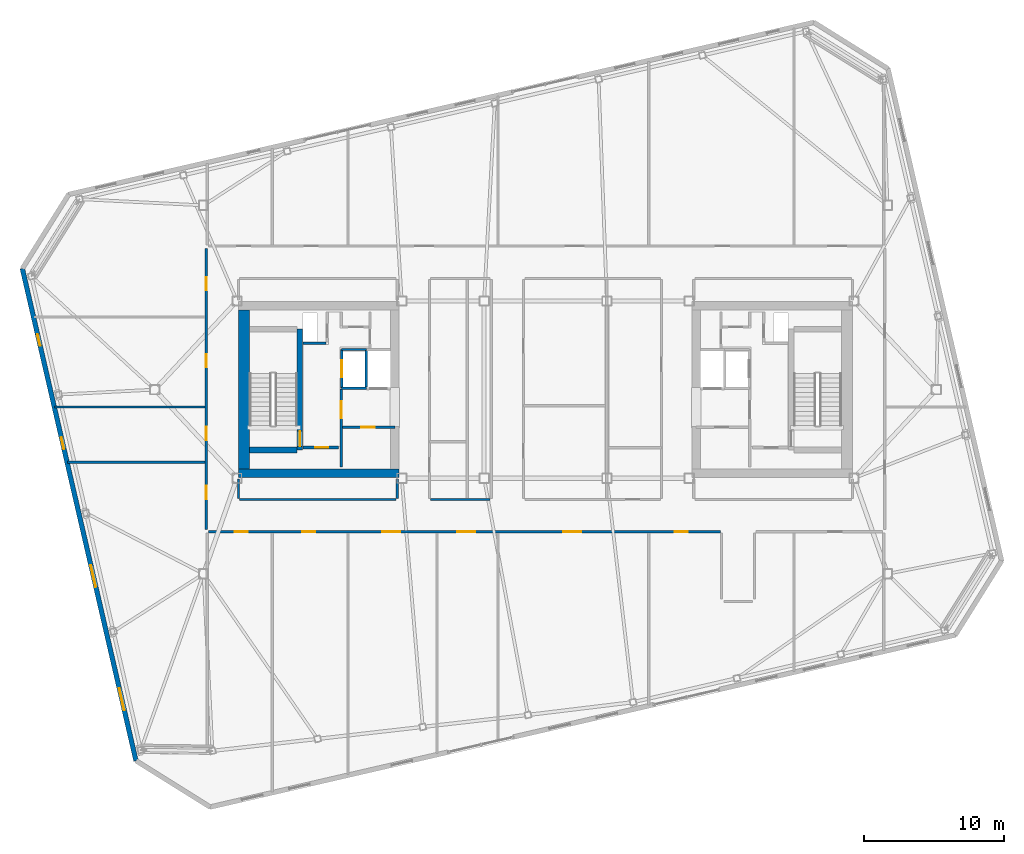
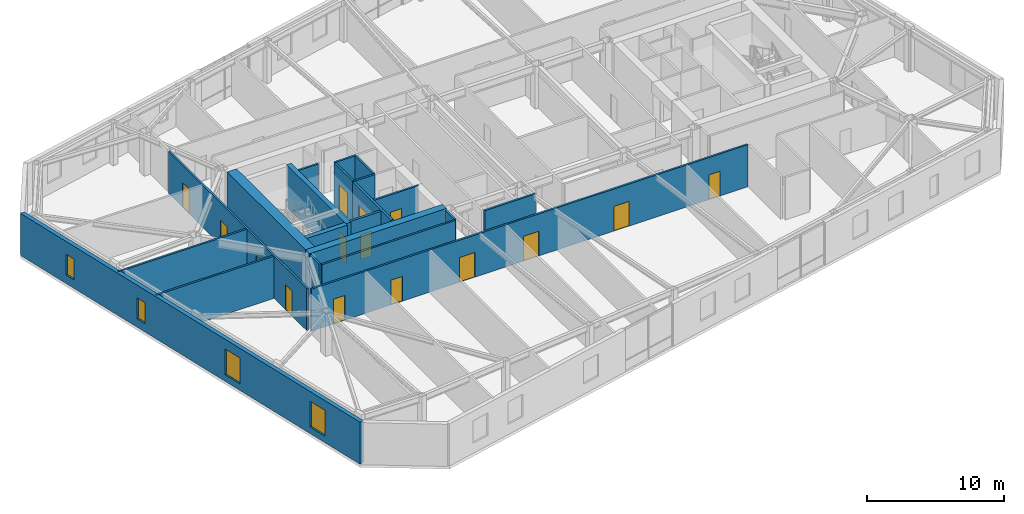
# One storey, part 16 of 23: 21 walls, 15 doors, 4 windows, 19 openings.
"""IFC4 building model written with IfcOpenShell, lengths in metres."""

from ifc_helpers import new_model, si_unit, direction, frame, frame_2d, origin, place, context, subcontext, project, spatial, rectangle, extrude, material, layer, layer_set, type_object, element, fill, save


model = new_model("IFC4")

# Units and contexts
model_context = context("Model", 3, precision=1e-05, world=origin(), true_north=direction((0.0, 1.0)))
body_context = subcontext(model_context, "Body", "Model", "MODEL_VIEW")
ifc_project = project(units=[si_unit("LENGTHUNIT", "METRE"), si_unit("AREAUNIT", "SQUARE_METRE"), si_unit("VOLUMEUNIT", "CUBIC_METRE"), si_unit("PLANEANGLEUNIT", "RADIAN"), si_unit("MASSUNIT", "GRAM", prefix="KILO")], contexts=[model_context])

# Site, building, storey
site_placement = place(None, origin())
site = spatial("IfcSite", under=ifc_project, at=site_placement, CompositionType="ELEMENT")
building_placement = place(site_placement, origin())
building = spatial("IfcBuilding", under=site, at=building_placement, Name="Tavrogorsk Clinical Tower", CompositionType="ELEMENT")
storey_placement = place(building_placement, frame((0.0, 0.0, 301.0)))
storey = spatial("IfcBuildingStorey", under=building, at=storey_placement, Name="L70", CompositionType="ELEMENT", Elevation=301.0)

# Wall, opening, door
ifc_material_1 = material(Name="Concrete B60", Category="concrete")
ifc_layer_1 = layer(ifc_material_1, 0.199951171875)
ifc_layer_set_1 = layer_set([ifc_layer_1], Name="Concrete B60")
wall_type_1 = type_object("IfcWallType", Name="CoreFireWall_200", PredefinedType="SOLIDWALL", material=ifc_layer_set_1)
wall_1_placement = place(storey_placement, frame((-17.3798828125, -4.139892578125, 0.0), z_axis=(0.0, 0.0, 1.0), x_axis=(1.0, 0.0, 0.0)))
wall_1 = element("IfcWall", 1, at=wall_1_placement, inside=storey, type_object=wall_type_1, Name="L70 Core West South Core Room Fire Wall", PredefinedType="SOLIDWALL", context=body_context, shape_type="SweptSolid", body=[
    extrude(rectangle(XDim=2.554931640625, YDim=0.199951171875, at=frame_2d((1.27734375, 0.0))), origin(), (0.0, 0.0, 1.0), 3.739990234375),
])
opening_1_placement = place(wall_1_placement, frame((0.8798828125, 0.0, 0.0)))
opening_1 = element("IfcOpeningElement", 2, at=opening_1_placement, cuts=wall_1, Name="Opening ID-02", PredefinedType="OPENING", context=body_context, shape_type="SweptSolid", body=[
    extrude(rectangle(XDim=0.949951171875, YDim=2.199951171875, at=frame_2d((0.47509765625, 1.10009765625))), frame((0.0, 0.10986328125, 0.0), z_axis=(0.0, -1.0, 0.0), x_axis=(1.0, 0.0, 0.0)), (0.0, 0.0, 1.0), 0.219970703125),
])
ifc_material_2 = material(Name="Laminated timber leaf on aluminium frame", Category="wood")
door_type_1 = type_object("IfcDoorType", Name="InteriorDoor_ID02_950", OperationType="NOTDEFINED", PredefinedType="DOOR", material=ifc_material_2)
door_1_placement = place(opening_1_placement, origin())
door_1 = element("IfcDoor", 3, at=door_1_placement, inside=storey, type_object=door_type_1, Name="L70 Core West South Core Room Door", OperationType="SINGLE_SWING_RIGHT", OverallHeight=2.199951171875, OverallWidth=0.949951171875, PredefinedType="DOOR", context=body_context, shape_type="SweptSolid", body=[
    extrude(rectangle(XDim=0.949951171875, YDim=2.199951171875, at=frame_2d((0.47509765625, 1.10009765625))), frame((0.0, 0.02490234375, 0.0), z_axis=(0.0, -1.0, 0.0), x_axis=(1.0, 0.0, 0.0)), (0.0, 0.0, 1.0), 0.050048828125),
])
fill(opening_1, door_1)

wall_2_placement = place(storey_placement, frame((-14.639892578125, -5.56005859375, 0.0), z_axis=(0.0, 0.0, 1.0), x_axis=(0.0, 1.0, 0.0)))
wall_2 = element("IfcWall", 4, at=wall_2_placement, inside=storey, type_object=wall_type_1, Name="L70 Core West Firefighting Lobby Fire Wall", PredefinedType="SOLIDWALL", context=body_context, shape_type="SweptSolid", body=[
    extrude(rectangle(XDim=5.60009765625, YDim=0.199951171875, at=frame_2d((2.800048828125, 0.0))), origin(), (0.0, 0.0, 1.0), 3.739990234375),
])
opening_2_placement = place(wall_2_placement, frame((3.510009765625, 0.0, 0.0)))
opening_2 = element("IfcOpeningElement", 5, at=opening_2_placement, cuts=wall_2, Name="Opening FD-01", PredefinedType="OPENING", context=body_context, shape_type="SweptSolid", body=[
    extrude(rectangle(XDim=1.199951171875, YDim=2.199951171875, at=frame_2d((0.60009765625, 1.10009765625))), frame((0.0, 0.10986328125, 0.0), z_axis=(0.0, -1.0, 0.0), x_axis=(1.0, 0.0, 0.0)), (0.0, 0.0, 1.0), 0.219970703125),
])
ifc_material_3 = material(Name="Galvanised steel fire-rated door assembly", Category="steel")
door_type_2 = type_object("IfcDoorType", Name="FireDoor_FD01_1200", OperationType="NOTDEFINED", PredefinedType="DOOR", material=ifc_material_3)
door_2_placement = place(opening_2_placement, origin())
door_2 = element("IfcDoor", 6, at=door_2_placement, inside=storey, type_object=door_type_2, Name="L70 Core West Firefighting Lobby Entry Door", OperationType="SINGLE_SWING_RIGHT", OverallHeight=2.199951171875, OverallWidth=1.199951171875, PredefinedType="DOOR", context=body_context, shape_type="SweptSolid", body=[
    extrude(rectangle(XDim=1.199951171875, YDim=2.199951171875, at=frame_2d((0.60009765625, 1.10009765625))), frame((0.0, 0.02490234375, 0.0), z_axis=(0.0, -1.0, 0.0), x_axis=(1.0, 0.0, 0.0)), (0.0, 0.0, 1.0), 0.050048828125),
])
fill(opening_2, door_2)

ifc_material_4 = material(Name="Lightweight concrete blockwork B15", Category="masonry")
ifc_layer_2 = layer(ifc_material_4, 0.159912109375)
ifc_layer_set_2 = layer_set([ifc_layer_2], Name="Lightweight concrete blockwork B15")
wall_type_2 = type_object("IfcWallType", Name="PartitionWall_160", PredefinedType="PARTITIONING", material=ifc_layer_set_2)
wall_3_placement = place(storey_placement, frame((-14.534912109375, -2.699951171875, 0.0), z_axis=(0.0, 0.0, 1.0), x_axis=(1.0, 0.0, 0.0)))
wall_3 = element("IfcWall", 7, at=wall_3_placement, inside=storey, type_object=wall_type_2, Name="L70 Core West Freed Mid-Bank North Partition", PredefinedType="PARTITIONING", context=body_context, shape_type="SweptSolid", body=[
    extrude(rectangle(XDim=3.73486328125, YDim=0.159912109375, at=frame_2d((1.867431640625, 0.0))), origin(), (0.0, 0.0, 1.0), 3.739990234375),
])
opening_3_placement = place(wall_3_placement, frame((1.35009765625, 0.0, 0.0)))
opening_3 = element("IfcOpeningElement", 8, at=opening_3_placement, cuts=wall_3, Name="Opening ID-02", PredefinedType="OPENING", context=body_context, shape_type="SweptSolid", body=[
    extrude(rectangle(XDim=0.949951171875, YDim=2.199951171875, at=frame_2d((0.47509765625, 1.10009765625))), frame((0.0, 0.08984375, 0.0), z_axis=(0.0, -1.0, 0.0), x_axis=(1.0, 0.0, 0.0)), (0.0, 0.0, 1.0), 0.179931640625),
])
door_3_placement = place(opening_3_placement, origin())
door_3 = element("IfcDoor", 9, at=door_3_placement, inside=storey, type_object=door_type_1, Name="L70 Core West Pharmacy Prep Door", OperationType="SINGLE_SWING_LEFT", OverallHeight=2.199951171875, OverallWidth=0.949951171875, PredefinedType="DOOR", context=body_context, shape_type="SweptSolid", body=[
    extrude(rectangle(XDim=0.949951171875, YDim=2.199951171875, at=frame_2d((0.47509765625, 1.10009765625))), frame((0.0, 0.02490234375, 0.0), z_axis=(0.0, -1.0, 0.0), x_axis=(1.0, 0.0, 0.0)), (0.0, 0.0, 1.0), 0.050048828125),
])
fill(opening_3, door_3)

# Wall, openings, doors
wall_4_placement = place(storey_placement, frame((-24.31005859375, -10.014892578125, 0.0), z_axis=(0.0, 0.0, 1.0), x_axis=(0.0, 1.0, 0.0)))
wall_4 = element("IfcWall", 10, at=wall_4_placement, inside=storey, type_object=wall_type_2, Name="L70 Corridor Partition 01", PredefinedType="PARTITIONING", context=body_context, shape_type="SweptSolid", body=[
    extrude(rectangle(XDim=20.1298828125, YDim=0.159912109375, at=frame_2d((10.06494140625, 0.0))), origin(), (0.0, 0.0, 1.0), 3.739990234375),
])
opening_4_placement = place(wall_4_placement, frame((2.169189453125, 0.0, 0.0)))
opening_4 = element("IfcOpeningElement", 11, at=opening_4_placement, cuts=wall_4, Name="Opening ID-02", PredefinedType="OPENING", context=body_context, shape_type="SweptSolid", body=[
    extrude(rectangle(XDim=0.949951171875, YDim=2.199951171875, at=frame_2d((0.47509765625, 1.10009765625))), frame((0.0, 0.08984375, 0.0), z_axis=(0.0, -1.0, 0.0), x_axis=(1.0, 0.0, 0.0)), (0.0, 0.0, 1.0), 0.179931640625),
])
opening_5_placement = place(wall_4_placement, frame((6.39990234375, 0.0, 0.0)))
opening_5 = element("IfcOpeningElement", 12, at=opening_5_placement, cuts=wall_4, Name="Opening ID-02", PredefinedType="OPENING", context=body_context, shape_type="SweptSolid", body=[
    extrude(rectangle(XDim=0.949951171875, YDim=2.199951171875, at=frame_2d((0.47509765625, 1.10009765625))), frame((0.0, 0.08984375, 0.0), z_axis=(0.0, -1.0, 0.0), x_axis=(1.0, 0.0, 0.0)), (0.0, 0.0, 1.0), 0.179931640625),
])
opening_6_placement = place(wall_4_placement, frame((11.60009765625, 0.0, 0.0)))
opening_6 = element("IfcOpeningElement", 13, at=opening_6_placement, cuts=wall_4, Name="Opening ID-02", PredefinedType="OPENING", context=body_context, shape_type="SweptSolid", body=[
    extrude(rectangle(XDim=0.949951171875, YDim=2.199951171875, at=frame_2d((0.47509765625, 1.10009765625))), frame((0.0, 0.08984375, 0.0), z_axis=(0.0, -1.0, 0.0), x_axis=(1.0, 0.0, 0.0)), (0.0, 0.0, 1.0), 0.179931640625),
])
opening_7_placement = place(wall_4_placement, frame((17.130859375, 0.0, 0.0)))
opening_7 = element("IfcOpeningElement", 14, at=opening_7_placement, cuts=wall_4, Name="Opening ID-02", PredefinedType="OPENING", context=body_context, shape_type="SweptSolid", body=[
    extrude(rectangle(XDim=0.949951171875, YDim=2.199951171875, at=frame_2d((0.47509765625, 1.10009765625))), frame((0.0, 0.08984375, 0.0), z_axis=(0.0, -1.0, 0.0), x_axis=(1.0, 0.0, 0.0)), (0.0, 0.0, 1.0), 0.179931640625),
])
door_4_placement = place(opening_4_placement, origin())
door_4 = element("IfcDoor", 15, at=door_4_placement, inside=storey, type_object=door_type_1, Name="L70 W Solarium Day Room & Lounge 1 Door", OperationType="SINGLE_SWING_RIGHT", OverallHeight=2.199951171875, OverallWidth=0.949951171875, PredefinedType="DOOR", context=body_context, shape_type="SweptSolid", body=[
    extrude(rectangle(XDim=0.949951171875, YDim=2.199951171875, at=frame_2d((0.47509765625, 1.10009765625))), frame((0.0, 0.02490234375, 0.0), z_axis=(0.0, -1.0, 0.0), x_axis=(1.0, 0.0, 0.0)), (0.0, 0.0, 1.0), 0.050048828125),
])
fill(opening_4, door_4)
door_5_placement = place(opening_5_placement, origin())
door_5 = element("IfcDoor", 16, at=door_5_placement, inside=storey, type_object=door_type_1, Name="L70 W Rehabilitation Therapy Suite 2 Door", OperationType="SINGLE_SWING_LEFT", OverallHeight=2.199951171875, OverallWidth=0.949951171875, PredefinedType="DOOR", context=body_context, shape_type="SweptSolid", body=[
    extrude(rectangle(XDim=0.949951171875, YDim=2.199951171875, at=frame_2d((0.47509765625, 1.10009765625))), frame((0.0, 0.02490234375, 0.0), z_axis=(0.0, -1.0, 0.0), x_axis=(1.0, 0.0, 0.0)), (0.0, 0.0, 1.0), 0.050048828125),
])
fill(opening_5, door_5)
door_6_placement = place(opening_6_placement, origin())
door_6 = element("IfcDoor", 17, at=door_6_placement, inside=storey, type_object=door_type_1, Name="L70 W Sub-Acute Observation Suite 3 Door", OperationType="SINGLE_SWING_RIGHT", OverallHeight=2.199951171875, OverallWidth=0.949951171875, PredefinedType="DOOR", context=body_context, shape_type="SweptSolid", body=[
    extrude(rectangle(XDim=0.949951171875, YDim=2.199951171875, at=frame_2d((0.47509765625, 1.10009765625))), frame((0.0, 0.02490234375, 0.0), z_axis=(0.0, -1.0, 0.0), x_axis=(1.0, 0.0, 0.0)), (0.0, 0.0, 1.0), 0.050048828125),
])
fill(opening_6, door_6)
door_7_placement = place(opening_7_placement, origin())
door_7 = element("IfcDoor", 18, at=door_7_placement, inside=storey, type_object=door_type_1, Name="L70 W Family Consultation Lounge 4 Door", OperationType="SINGLE_SWING_LEFT", OverallHeight=2.199951171875, OverallWidth=0.949951171875, PredefinedType="DOOR", context=body_context, shape_type="SweptSolid", body=[
    extrude(rectangle(XDim=0.949951171875, YDim=2.199951171875, at=frame_2d((0.47509765625, 1.10009765625))), frame((0.0, 0.02490234375, 0.0), z_axis=(0.0, -1.0, 0.0), x_axis=(1.0, 0.0, 0.0)), (0.0, 0.0, 1.0), 0.050048828125),
])
fill(opening_7, door_7)

wall_5_placement = place(storey_placement, frame((12.534912109375, -10.179931640625, 0.0), z_axis=(0.0, 0.0, 1.0), x_axis=(-1.0, 0.0, 0.0)))
wall_5 = element("IfcWall", 19, at=wall_5_placement, inside=storey, type_object=wall_type_2, Name="L70 Corridor Partition 08", PredefinedType="PARTITIONING", context=body_context, shape_type="SweptSolid", body=[
    extrude(rectangle(XDim=36.679931640625, YDim=0.159912109375, at=frame_2d((18.33984375, 0.0))), origin(), (0.0, 0.0, 1.0), 3.739990234375),
])
opening_8_placement = place(wall_5_placement, frame((33.85595703125, 0.0, 0.0)))
opening_8 = element("IfcOpeningElement", 20, at=opening_8_placement, cuts=wall_5, Name="Opening ID-02", PredefinedType="OPENING", context=body_context, shape_type="SweptSolid", body=[
    extrude(rectangle(XDim=0.949951171875, YDim=2.199951171875, at=frame_2d((0.47509765625, 1.10009765625))), frame((0.0, 0.08984375, 0.0), z_axis=(0.0, -1.0, 0.0), x_axis=(1.0, 0.0, 0.0)), (0.0, 0.0, 1.0), 0.179931640625),
])
opening_9_placement = place(wall_5_placement, frame((29.014892578125, 0.0, 0.0)))
opening_9 = element("IfcOpeningElement", 21, at=opening_9_placement, cuts=wall_5, Name="Opening ID-02", PredefinedType="OPENING", context=body_context, shape_type="SweptSolid", body=[
    extrude(rectangle(XDim=0.949951171875, YDim=2.199951171875, at=frame_2d((0.47509765625, 1.10009765625))), frame((0.0, 0.08984375, 0.0), z_axis=(0.0, -1.0, 0.0), x_axis=(1.0, 0.0, 0.0)), (0.0, 0.0, 1.0), 0.179931640625),
])
opening_10_placement = place(wall_5_placement, frame((22.93505859375, 0.0, 0.0)))
opening_10 = element("IfcOpeningElement", 22, at=opening_10_placement, cuts=wall_5, Name="Opening ID-01", PredefinedType="OPENING", context=body_context, shape_type="SweptSolid", body=[
    extrude(rectangle(XDim=1.300048828125, YDim=2.199951171875, at=frame_2d((0.64990234375, 1.10009765625))), frame((0.0, 0.08984375, 0.0), z_axis=(0.0, -1.0, 0.0), x_axis=(1.0, 0.0, 0.0)), (0.0, 0.0, 1.0), 0.179931640625),
])
opening_11_placement = place(wall_5_placement, frame((17.554931640625, 0.0, 0.0)))
opening_11 = element("IfcOpeningElement", 23, at=opening_11_placement, cuts=wall_5, Name="Opening ID-01", PredefinedType="OPENING", context=body_context, shape_type="SweptSolid", body=[
    extrude(rectangle(XDim=1.300048828125, YDim=2.199951171875, at=frame_2d((0.64990234375, 1.10009765625))), frame((0.0, 0.08984375, 0.0), z_axis=(0.0, -1.0, 0.0), x_axis=(1.0, 0.0, 0.0)), (0.0, 0.0, 1.0), 0.179931640625),
])
opening_12_placement = place(wall_5_placement, frame((9.969970703125, 0.0, 0.0)))
opening_12 = element("IfcOpeningElement", 24, at=opening_12_placement, cuts=wall_5, Name="Opening ID-01", PredefinedType="OPENING", context=body_context, shape_type="SweptSolid", body=[
    extrude(rectangle(XDim=1.300048828125, YDim=2.199951171875, at=frame_2d((0.64990234375, 1.10009765625))), frame((0.0, 0.08984375, 0.0), z_axis=(0.0, -1.0, 0.0), x_axis=(1.0, 0.0, 0.0)), (0.0, 0.0, 1.0), 0.179931640625),
])
opening_13_placement = place(wall_5_placement, frame((2.3291015625, 0.0, 0.0)))
opening_13 = element("IfcOpeningElement", 25, at=opening_13_placement, cuts=wall_5, Name="Opening ID-02", PredefinedType="OPENING", context=body_context, shape_type="SweptSolid", body=[
    extrude(rectangle(XDim=0.949951171875, YDim=2.199951171875, at=frame_2d((0.47509765625, 1.10009765625))), frame((0.0, 0.08984375, 0.0), z_axis=(0.0, -1.0, 0.0), x_axis=(1.0, 0.0, 0.0)), (0.0, 0.0, 1.0), 0.179931640625),
])
door_8_placement = place(opening_8_placement, origin())
door_8 = element("IfcDoor", 26, at=door_8_placement, inside=storey, type_object=door_type_1, Name="L70 South Clinical Case Seminar Room 01 Door", OperationType="SINGLE_SWING_LEFT", OverallHeight=2.199951171875, OverallWidth=0.949951171875, PredefinedType="DOOR", context=body_context, shape_type="SweptSolid", body=[
    extrude(rectangle(XDim=0.949951171875, YDim=2.199951171875, at=frame_2d((0.47509765625, 1.10009765625))), frame((0.0, 0.02490234375, 0.0), z_axis=(0.0, -1.0, 0.0), x_axis=(1.0, 0.0, 0.0)), (0.0, 0.0, 1.0), 0.050048828125),
])
fill(opening_8, door_8)
door_9_placement = place(opening_9_placement, origin())
door_9 = element("IfcDoor", 27, at=door_9_placement, inside=storey, type_object=door_type_1, Name="L70 South Staff Rest & Nourishment Lounge 02 Door", OperationType="SINGLE_SWING_RIGHT", OverallHeight=2.199951171875, OverallWidth=0.949951171875, PredefinedType="DOOR", context=body_context, shape_type="SweptSolid", body=[
    extrude(rectangle(XDim=0.949951171875, YDim=2.199951171875, at=frame_2d((0.47509765625, 1.10009765625))), frame((0.0, 0.02490234375, 0.0), z_axis=(0.0, -1.0, 0.0), x_axis=(1.0, 0.0, 0.0)), (0.0, 0.0, 1.0), 0.050048828125),
])
fill(opening_9, door_9)
door_10_placement = place(opening_13_placement, origin())
door_10 = element("IfcDoor", 28, at=door_10_placement, inside=storey, type_object=door_type_1, Name="L70 South Soiled Utility & Sluice Room 05 Door", OperationType="SINGLE_SWING_RIGHT", OverallHeight=2.199951171875, OverallWidth=0.949951171875, PredefinedType="DOOR", context=body_context, shape_type="SweptSolid", body=[
    extrude(rectangle(XDim=0.949951171875, YDim=2.199951171875, at=frame_2d((0.47509765625, 1.10009765625))), frame((0.0, 0.02490234375, 0.0), z_axis=(0.0, -1.0, 0.0), x_axis=(1.0, 0.0, 0.0)), (0.0, 0.0, 1.0), 0.050048828125),
])
fill(opening_13, door_10)
ifc_material_5 = material(Name="Antibacterial HPL medical leaf on aluminium frame", Category="aluminium")
door_type_3 = type_object("IfcDoorType", Name="WardBedDoor_ID01_1300", OperationType="NOTDEFINED", PredefinedType="DOOR", material=ifc_material_5)
door_11_placement = place(opening_10_placement, origin())
door_11 = element("IfcDoor", 29, at=door_11_placement, inside=storey, type_object=door_type_3, Name="L70 South Bariatric Observation Ward 03A Door", OperationType="SINGLE_SWING_LEFT", OverallHeight=2.199951171875, OverallWidth=1.300048828125, PredefinedType="DOOR", context=body_context, shape_type="SweptSolid", body=[
    extrude(rectangle(XDim=1.300048828125, YDim=2.199951171875, at=frame_2d((0.64990234375, 1.10009765625))), frame((0.0, 0.02490234375, 0.0), z_axis=(0.0, -1.0, 0.0), x_axis=(1.0, 0.0, 0.0)), (0.0, 0.0, 1.0), 0.050048828125),
])
fill(opening_10, door_11)
door_12_placement = place(opening_11_placement, origin())
door_12 = element("IfcDoor", 30, at=door_12_placement, inside=storey, type_object=door_type_3, Name="L70 South Acute Medical Ward 03B Door", OperationType="SINGLE_SWING_RIGHT", OverallHeight=2.199951171875, OverallWidth=1.300048828125, PredefinedType="DOOR", context=body_context, shape_type="SweptSolid", body=[
    extrude(rectangle(XDim=1.300048828125, YDim=2.199951171875, at=frame_2d((0.64990234375, 1.10009765625))), frame((0.0, 0.02490234375, 0.0), z_axis=(0.0, -1.0, 0.0), x_axis=(1.0, 0.0, 0.0)), (0.0, 0.0, 1.0), 0.050048828125),
])
fill(opening_11, door_12)
door_13_placement = place(opening_12_placement, origin())
door_13 = element("IfcDoor", 31, at=door_13_placement, inside=storey, type_object=door_type_3, Name="L70 South Surgical Step-Down Ward 04 Door", OperationType="SINGLE_SWING_LEFT", OverallHeight=2.199951171875, OverallWidth=1.300048828125, PredefinedType="DOOR", context=body_context, shape_type="SweptSolid", body=[
    extrude(rectangle(XDim=1.300048828125, YDim=2.199951171875, at=frame_2d((0.64990234375, 1.10009765625))), frame((0.0, 0.02490234375, 0.0), z_axis=(0.0, -1.0, 0.0), x_axis=(1.0, 0.0, 0.0)), (0.0, 0.0, 1.0), 0.050048828125),
])
fill(opening_12, door_13)

# Walls
wall_6_placement = place(storey_placement, frame((-8.235107421875, -7.8701171875, 0.0), z_axis=(0.0, 0.0, 1.0), x_axis=(1.0, 0.0, 0.0)))
element("IfcWall", 32, at=wall_6_placement, inside=storey, type_object=wall_type_2, Name="L70 Corridor Partition 22", PredefinedType="PARTITIONING", context=body_context, shape_type="SweptSolid", body=[
    extrude(rectangle(XDim=4.27001953125, YDim=0.159912109375, at=frame_2d((2.135009765625, 0.0))), origin(), (0.0, 0.0, 1.0), 3.739990234375),
])
for number, where, z_axis, x_axis, name in (
    (33, (-10.6298828125, -7.784912109375, 0.0), (0.0, 0.0, 1.0), (0.0, 1.0, 0.0), "L70 Corridor Partition 23"),
    (34, (-22.0, -6.419921875, 0.0), (0.0, 0.0, 1.0), (0.0, -1.0, 0.0), "L70 Corridor Partition 27"),
):
    element("IfcWall", number, at=place(storey_placement, frame(where, z_axis=z_axis, x_axis=x_axis)), inside=storey, type_object=wall_type_2, Name=name, PredefinedType="PARTITIONING", context=body_context, shape_type="SweptSolid", body=[
        extrude(rectangle(XDim=1.364990234375, YDim=0.159912109375, at=frame_2d((0.6826171875, 0.0))), origin(), (0.0, 0.0, 1.0), 3.739990234375),
    ])
wall_7_placement = place(storey_placement, frame((-21.9150390625, -7.8701171875, 0.0), z_axis=(0.0, 0.0, 1.0), x_axis=(1.0, 0.0, 0.0)))
element("IfcWall", 35, at=wall_7_placement, inside=storey, type_object=wall_type_2, Name="L70 Corridor Partition 28", PredefinedType="PARTITIONING", context=body_context, shape_type="SweptSolid", body=[
    extrude(rectangle(XDim=11.199951171875, YDim=0.159912109375, at=frame_2d((5.60009765625, 0.0))), origin(), (0.0, 0.0, 1.0), 3.739990234375),
])
wall_8_placement = place(storey_placement, frame((-34.26171875, -5.199951171875, 0.0), z_axis=(0.0, 0.0, 1.0), x_axis=(1.0, 0.0, 0.0)))
element("IfcWall", 36, at=wall_8_placement, inside=storey, type_object=wall_type_2, Name="L70 W Wing Divider 1", PredefinedType="PARTITIONING", context=body_context, shape_type="SweptSolid", body=[
    extrude(rectangle(XDim=9.86669921875, YDim=0.159912109375, at=frame_2d((4.933349609375, 0.0))), origin(), (0.0, 0.0, 1.0), 3.739990234375),
])
wall_9_placement = place(storey_placement, frame((-35.173583984375, -1.25, 0.0), z_axis=(0.0, 0.0, 1.0), x_axis=(1.0, 0.0, 0.0)))
element("IfcWall", 37, at=wall_9_placement, inside=storey, type_object=wall_type_2, Name="L70 W Wing Divider 2", PredefinedType="PARTITIONING", context=body_context, shape_type="SweptSolid", body=[
    extrude(rectangle(XDim=10.778564453125, YDim=0.159912109375, at=frame_2d((5.38916015625, 0.0))), origin(), (0.0, 0.0, 1.0), 3.739990234375),
])

# Wall, openings, windows
ifc_material_6 = material(Name="Precast concrete B45 with limestone cladding", Category="masonry")
ifc_layer_3 = layer(ifc_material_6, 0.340087890625)
ifc_layer_set_3 = layer_set([ifc_layer_3], Name="Precast concrete B45 with limestone cladding")
wall_type_3 = type_object("IfcWallType", Name="PrecastLimestoneWall_340", PredefinedType="STANDARD", material=ifc_layer_set_3)
wall_10_placement = place(storey_placement, frame((-37.48583984375, 8.676025390625, 0.0), z_axis=(0.0, 0.0, 1.0), x_axis=(0.224953091034, -0.974369594576, 0.0)))
wall_10 = element("IfcWall", 38, at=wall_10_placement, inside=storey, type_object=wall_type_3, Name="L70 W Pleated Limestone Wing Wall", PredefinedType="STANDARD", context=body_context, shape_type="SweptSolid", body=[
    extrude(rectangle(XDim=36.199951171875, YDim=0.340087890625, at=frame_2d((18.10009765625, 0.0))), origin(), (0.0, 0.0, 1.0), 3.739990234375),
])
opening_14_placement = place(wall_10_placement, frame((4.824951171875, 0.0, 0.75)))
opening_14 = element("IfcOpeningElement", 39, at=opening_14_placement, cuts=wall_10, Name="Opening WN-06", PredefinedType="OPENING", context=body_context, shape_type="SweptSolid", body=[
    extrude(rectangle(XDim=0.85009765625, YDim=1.85009765625, at=frame_2d((0.425048828125, 0.925048828125))), frame((0.0, 0.179931640625, 0.0), z_axis=(0.0, -1.0, 0.0), x_axis=(1.0, 0.0, 0.0)), (0.0, 0.0, 1.0), 0.360107421875),
])
opening_15_placement = place(wall_10_placement, frame((12.425048828125, 0.0, 0.75)))
opening_15 = element("IfcOpeningElement", 40, at=opening_15_placement, cuts=wall_10, Name="Opening WN-06", PredefinedType="OPENING", context=body_context, shape_type="SweptSolid", body=[
    extrude(rectangle(XDim=0.85009765625, YDim=1.85009765625, at=frame_2d((0.425048828125, 0.925048828125))), frame((0.0, 0.179931640625, 0.0), z_axis=(0.0, -1.0, 0.0), x_axis=(1.0, 0.0, 0.0)), (0.0, 0.0, 1.0), 0.360107421875),
])
opening_16_placement = place(wall_10_placement, frame((21.824951171875, 0.0, 0.580078125)))
opening_16 = element("IfcOpeningElement", 41, at=opening_16_placement, cuts=wall_10, Name="Opening WN-07", PredefinedType="OPENING", context=body_context, shape_type="SweptSolid", body=[
    extrude(rectangle(XDim=1.60009765625, YDim=2.300048828125, at=frame_2d((0.800048828125, 1.14990234375))), frame((0.0, 0.179931640625, 0.0), z_axis=(0.0, -1.0, 0.0), x_axis=(1.0, 0.0, 0.0)), (0.0, 0.0, 1.0), 0.360107421875),
])
opening_17_placement = place(wall_10_placement, frame((30.875, 0.0, 0.580078125)))
opening_17 = element("IfcOpeningElement", 42, at=opening_17_placement, cuts=wall_10, Name="Opening WN-07", PredefinedType="OPENING", context=body_context, shape_type="SweptSolid", body=[
    extrude(rectangle(XDim=1.60009765625, YDim=2.300048828125, at=frame_2d((0.800048828125, 1.14990234375))), frame((0.0, 0.179931640625, 0.0), z_axis=(0.0, -1.0, 0.0), x_axis=(1.0, 0.0, 0.0)), (0.0, 0.0, 1.0), 0.360107421875),
])
ifc_material_7 = material(Name="Thermally broken aluminium frame and triple IGU", Category="aluminium")
window_type_1 = type_object("IfcWindowType", Name="MullionSubWin_850x1850", PartitioningType="SINGLE_PANEL", PredefinedType="WINDOW", material=ifc_material_7)
window_1_placement = place(opening_14_placement, origin())
window_1 = element("IfcWindow", 43, at=window_1_placement, inside=storey, type_object=window_type_1, Name="L70 W Pleat Mullion Window 1B", OverallHeight=1.85009765625, OverallWidth=0.85009765625, PartitioningType="SINGLE_PANEL", PredefinedType="WINDOW", context=body_context, shape_type="SweptSolid", body=[
    extrude(rectangle(XDim=0.85009765625, YDim=1.85009765625, at=frame_2d((0.425048828125, 0.925048828125))), frame((0.0, 0.030029296875, 0.0), z_axis=(0.0, -1.0, 0.0), x_axis=(1.0, 0.0, 0.0)), (0.0, 0.0, 1.0), 0.06005859375),
])
fill(opening_14, window_1)
window_2_placement = place(opening_15_placement, origin())
window_2 = element("IfcWindow", 44, at=window_2_placement, inside=storey, type_object=window_type_1, Name="L70 W Pleat Mullion Window 2A", OverallHeight=1.85009765625, OverallWidth=0.85009765625, PartitioningType="SINGLE_PANEL", PredefinedType="WINDOW", context=body_context, shape_type="SweptSolid", body=[
    extrude(rectangle(XDim=0.85009765625, YDim=1.85009765625, at=frame_2d((0.425048828125, 0.925048828125))), frame((0.0, 0.030029296875, 0.0), z_axis=(0.0, -1.0, 0.0), x_axis=(1.0, 0.0, 0.0)), (0.0, 0.0, 1.0), 0.06005859375),
])
fill(opening_15, window_2)
ifc_material_8 = material(Name="Thermally broken aluminium frame and triple IGU", Category="aluminium")
window_type_2 = type_object("IfcWindowType", Name="PleatSlotWin_1600x2300", PartitioningType="SINGLE_PANEL", PredefinedType="WINDOW", material=ifc_material_8)
window_3_placement = place(opening_16_placement, origin())
window_3 = element("IfcWindow", 45, at=window_3_placement, inside=storey, type_object=window_type_2, Name="L70 W Pleat Slot Window 3", OverallHeight=2.300048828125, OverallWidth=1.60009765625, PartitioningType="SINGLE_PANEL", PredefinedType="WINDOW", context=body_context, shape_type="SweptSolid", body=[
    extrude(rectangle(XDim=1.60009765625, YDim=2.300048828125, at=frame_2d((0.800048828125, 1.14990234375))), frame((0.0, 0.030029296875, 0.0), z_axis=(0.0, -1.0, 0.0), x_axis=(1.0, 0.0, 0.0)), (0.0, 0.0, 1.0), 0.06005859375),
])
fill(opening_16, window_3)
window_4_placement = place(opening_17_placement, origin())
window_4 = element("IfcWindow", 46, at=window_4_placement, inside=storey, type_object=window_type_2, Name="L70 W Pleat Slot Window 4", OverallHeight=2.300048828125, OverallWidth=1.60009765625, PartitioningType="SINGLE_PANEL", PredefinedType="WINDOW", context=body_context, shape_type="SweptSolid", body=[
    extrude(rectangle(XDim=1.60009765625, YDim=2.300048828125, at=frame_2d((0.800048828125, 1.14990234375))), frame((0.0, 0.030029296875, 0.0), z_axis=(0.0, -1.0, 0.0), x_axis=(1.0, 0.0, 0.0)), (0.0, 0.0, 1.0), 0.06005859375),
])
fill(opening_17, window_4)

# Wall, opening, door
ifc_material_9 = material(Name="Lightweight concrete blockwork B25", Category="masonry")
ifc_layer_4 = layer(ifc_material_9, 0.159912109375)
ifc_layer_set_4 = layer_set([ifc_layer_4], Name="Lightweight concrete blockwork B25")
wall_type_4 = type_object("IfcWallType", Name="ShaftWall_160", PredefinedType="PARTITIONING", material=ifc_layer_set_4)
wall_11_placement = place(storey_placement, frame((-14.60009765625, 0.1201171875, 0.0), z_axis=(0.0, 0.0, 1.0), x_axis=(0.0, 1.0, 0.0)))
wall_11 = element("IfcWall", 47, at=wall_11_placement, inside=storey, type_object=wall_type_4, Name="L70 FFL-W Firefighting Lift Front Wall", PredefinedType="PARTITIONING", context=body_context, shape_type="SweptSolid", body=[
    extrude(rectangle(XDim=2.739990234375, YDim=0.159912109375, at=frame_2d((1.3701171875, 0.0))), origin(), (0.0, 0.0, 1.0), 3.739990234375),
])
opening_18_placement = place(wall_11_placement, frame((0.77001953125, 0.0, 0.0)))
opening_18 = element("IfcOpeningElement", 48, at=opening_18_placement, cuts=wall_11, Name="Opening LD", PredefinedType="OPENING", context=body_context, shape_type="SweptSolid", body=[
    extrude(rectangle(XDim=1.199951171875, YDim=2.199951171875, at=frame_2d((0.60009765625, 1.10009765625))), frame((0.0, 0.08984375, 0.0), z_axis=(0.0, -1.0, 0.0), x_axis=(1.0, 0.0, 0.0)), (0.0, 0.0, 1.0), 0.179931640625),
])
ifc_material_10 = material(Name="Brushed stainless steel AISI 304 sliding doors", Category="steel")
door_type_4 = type_object("IfcDoorType", Name="LiftLandingDoor_LD_1200", OperationType="SLIDING_TO_LEFT", PredefinedType="DOOR", material=ifc_material_10)
door_14_placement = place(opening_18_placement, origin())
door_14 = element("IfcDoor", 49, at=door_14_placement, inside=storey, type_object=door_type_4, Name="L70 FFL-W Sliding Lift Landing Door", OperationType="SLIDING_TO_LEFT", OverallHeight=2.199951171875, OverallWidth=1.199951171875, PredefinedType="DOOR", context=body_context, shape_type="SweptSolid", body=[
    extrude(rectangle(XDim=1.199951171875, YDim=2.199951171875, at=frame_2d((0.60009765625, 1.10009765625))), frame((0.0, 0.02490234375, 0.0), z_axis=(0.0, -1.0, 0.0), x_axis=(1.0, 0.0, 0.0)), (0.0, 0.0, 1.0), 0.050048828125),
])
fill(opening_18, door_14)

# Walls
for number, where, z_axis, x_axis, name in (
    (50, (-14.60009765625, 0.10009765625, 0.0), (0.0, 0.0, 1.0), (1.0, 0.0, 0.0), "L70 FFL-W Shaft South Wall"),
    (51, (-14.60009765625, 2.8798828125, 0.0), (0.0, 0.0, 1.0), (1.0, 0.0, 0.0), "L70 FFL-W Shaft North Wall"),
):
    element("IfcWall", number, at=place(storey_placement, frame(where, z_axis=z_axis, x_axis=x_axis)), inside=storey, type_object=wall_type_4, Name=name, PredefinedType="PARTITIONING", context=body_context, shape_type="SweptSolid", body=[
        extrude(rectangle(XDim=1.760009765625, YDim=0.159912109375, at=frame_2d((0.8798828125, 0.0))), origin(), (0.0, 0.0, 1.0), 3.739990234375),
    ])
wall_12_placement = place(storey_placement, frame((-12.840087890625, 0.179931640625, 0.0), z_axis=(0.0, 0.0, 1.0), x_axis=(0.0, 1.0, 0.0)))
element("IfcWall", 52, at=wall_12_placement, inside=storey, type_object=wall_type_4, Name="L70 FFL-W Shaft Back Wall", PredefinedType="PARTITIONING", context=body_context, shape_type="SweptSolid", body=[
    extrude(rectangle(XDim=2.6201171875, YDim=0.159912109375, at=frame_2d((1.31005859375, 0.0))), origin(), (0.0, 0.0, 1.0), 3.739990234375),
])
wall_13_placement = place(storey_placement, frame((-17.3798828125, 3.320068359375, 0.0), z_axis=(0.0, 0.0, 1.0), x_axis=(1.0, 0.0, 0.0)))
element("IfcWall", 53, at=wall_13_placement, inside=storey, type_object=wall_type_4, Name="L70 Core West Riser South Wall", PredefinedType="PARTITIONING", context=body_context, shape_type="SweptSolid", body=[
    extrude(rectangle(XDim=1.65478515625, YDim=0.159912109375, at=frame_2d((0.827392578125, 0.0))), origin(), (0.0, 0.0, 1.0), 3.739990234375),
])

# Wall, opening, door
ifc_material_11 = material(Name="Concrete B80", Category="concrete")
ifc_layer_5 = layer(ifc_material_11, 0.39990234375)
ifc_layer_set_5 = layer_set([ifc_layer_5], Name="Concrete B80")
wall_type_5 = type_object("IfcWallType", Name="ShearWall_400", PredefinedType="SHEAR", material=ifc_layer_set_5)
wall_14_placement = place(storey_placement, frame((-17.60009765625, -4.324951171875, 0.0), z_axis=(0.0, 0.0, 1.0), x_axis=(0.0, 1.0, 0.0)))
wall_14 = element("IfcWall", 54, at=wall_14_placement, inside=storey, type_object=wall_type_5, Name="L70 Core West Stair Shaft Inner Shear Wall", PredefinedType="SHEAR", context=body_context, shape_type="SweptSolid", body=[
    extrude(rectangle(XDim=8.64990234375, YDim=0.39990234375, at=frame_2d((4.324951171875, 0.0))), origin(), (0.0, 0.0, 1.0), 3.739990234375),
])
opening_19_placement = place(wall_14_placement, frame((0.25, 0.0, 0.0)))
opening_19 = element("IfcOpeningElement", 55, at=opening_19_placement, cuts=wall_14, Name="Opening SD-01", PredefinedType="OPENING", context=body_context, shape_type="SweptSolid", body=[
    extrude(rectangle(XDim=1.10009765625, YDim=2.199951171875, at=frame_2d((0.550048828125, 1.10009765625))), frame((0.0, 0.2099609375, 0.0), z_axis=(0.0, -1.0, 0.0), x_axis=(1.0, 0.0, 0.0)), (0.0, 0.0, 1.0), 0.419921875),
])
ifc_material_12 = material(Name="Galvanised steel smoke-tight fire door assembly", Category="steel")
door_type_5 = type_object("IfcDoorType", Name="StairFireDoor_SD01_1100", OperationType="NOTDEFINED", PredefinedType="DOOR", material=ifc_material_12)
door_15_placement = place(opening_19_placement, origin())
door_15 = element("IfcDoor", 56, at=door_15_placement, inside=storey, type_object=door_type_5, Name="L70 ST-W Exit Stair Door", OperationType="SINGLE_SWING_LEFT", OverallHeight=2.199951171875, OverallWidth=1.10009765625, PredefinedType="DOOR", context=body_context, shape_type="SweptSolid", body=[
    extrude(rectangle(XDim=1.10009765625, YDim=2.199951171875, at=frame_2d((0.550048828125, 1.10009765625))), frame((0.0, 0.02490234375, 0.0), z_axis=(0.0, -1.0, 0.0), x_axis=(1.0, 0.0, 0.0)), (0.0, 0.0, 1.0), 0.050048828125),
])
fill(opening_19, door_15)

# Walls
wall_15_placement = place(storey_placement, frame((-21.199951171875, -4.324951171875, 0.0), z_axis=(0.0, 0.0, 1.0), x_axis=(1.0, 0.0, 0.0)))
element("IfcWall", 57, at=wall_15_placement, inside=storey, type_object=wall_type_5, Name="L70 Core West Stair Shaft South Shear Wall", PredefinedType="SHEAR", context=body_context, shape_type="SweptSolid", body=[
    extrude(rectangle(XDim=3.39990234375, YDim=0.39990234375, at=frame_2d((1.699951171875, 0.0))), origin(), (0.0, 0.0, 1.0), 3.739990234375),
])
ifc_material_13 = material(Name="Concrete B80", Category="concrete")
ifc_layer_6 = layer(ifc_material_13, 0.60009765625)
ifc_layer_set_6 = layer_set([ifc_layer_6], Name="Concrete B80")
wall_type_6 = type_object("IfcWallType", Name="ShearWall_600", PredefinedType="SHEAR", material=ifc_layer_set_6)
wall_16_placement = place(storey_placement, frame((-22.0, -6.0, 0.0), z_axis=(0.0, 0.0, 1.0), x_axis=(1.0, 0.0, 0.0)))
element("IfcWall", 58, at=wall_16_placement, inside=storey, type_object=wall_type_6, Name="L70 Core West South Shear Wall", PredefinedType="SHEAR", context=body_context, shape_type="SweptSolid", body=[
    extrude(rectangle(XDim=11.5, YDim=0.60009765625, at=frame_2d((5.75, 0.0))), origin(), (0.0, 0.0, 1.0), 3.739990234375),
])
ifc_material_14 = material(Name="Concrete B80", Category="concrete")
ifc_layer_7 = layer(ifc_material_14, 0.800048828125)
ifc_layer_set_7 = layer_set([ifc_layer_7], Name="Concrete B80")
wall_type_7 = type_object("IfcWallType", Name="ShearWall_800", PredefinedType="SHEAR", material=ifc_layer_set_7)
wall_17_placement = place(storey_placement, frame((-21.60009765625, -5.699951171875, 0.0), z_axis=(0.0, 0.0, 1.0), x_axis=(0.0, 1.0, 0.0)))
element("IfcWall", 59, at=wall_17_placement, inside=storey, type_object=wall_type_7, Name="L70 Core West End Shear Wall", PredefinedType="SHEAR", context=body_context, shape_type="SweptSolid", body=[
    extrude(rectangle(XDim=11.39990234375, YDim=0.800048828125, at=frame_2d((5.699951171875, 0.0))), origin(), (0.0, 0.0, 1.0), 3.739990234375),
])

save(model, "model.ifc")
